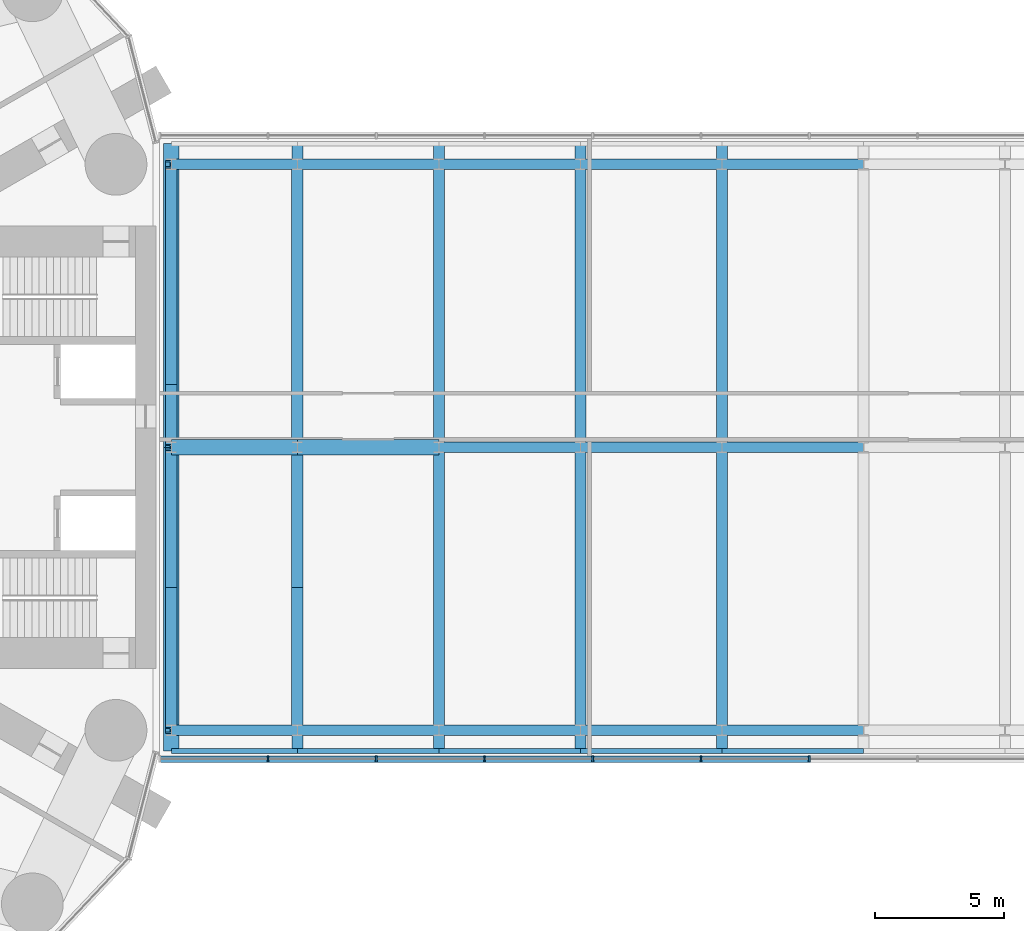
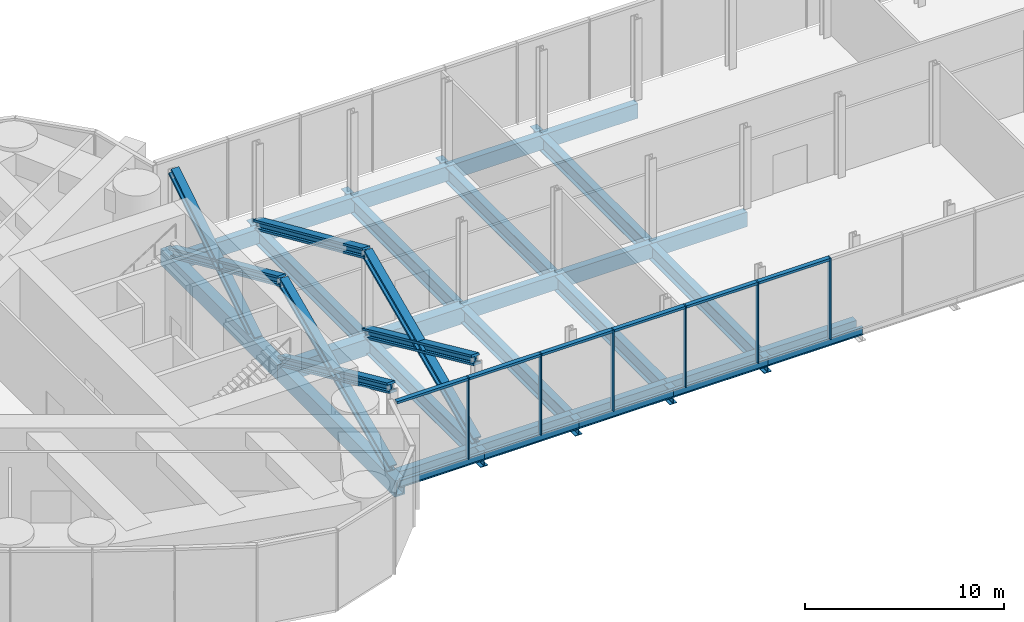
# One storey, part 5 of 19: 30 beams, 19 members, 1 element without a shape of its own.
"""IFC4 building model written with IfcOpenShell, lengths in metres."""

from ifc_helpers import new_model, si_unit, direction, frame, origin, origin_2d, place, context, subcontext, project, spatial, rectangle, hollow_rectangle, i_section, extrude, material, material_profile, profile_set, type_object, element, aggregate, save


model = new_model("IFC4")

# Units and contexts
model_context = context("Model", 3, precision=1e-05, world=origin(), true_north=direction((0.0, 1.0)))
body_context = subcontext(model_context, "Body", "Model", "MODEL_VIEW")
ifc_project = project(units=[si_unit("LENGTHUNIT", "METRE"), si_unit("AREAUNIT", "SQUARE_METRE"), si_unit("VOLUMEUNIT", "CUBIC_METRE"), si_unit("PLANEANGLEUNIT", "RADIAN"), si_unit("MASSUNIT", "GRAM", prefix="KILO")], contexts=[model_context])

# Site, building, storey
site_placement = place(None, origin())
site = spatial("IfcSite", under=ifc_project, at=site_placement, CompositionType="ELEMENT")
building_placement = place(site_placement, origin())
building = spatial("IfcBuilding", under=site, at=building_placement, Name="Lancet Gate Hotel", CompositionType="ELEMENT")
storey_placement = place(building_placement, frame((0.0, 0.0, 263.300048828125)))
storey = spatial("IfcBuildingStorey", under=building, at=storey_placement, Name="L69", CompositionType="ELEMENT", Elevation=263.300048828125)

# Curtain wall, members
ifc_material_1 = material(Name="Aluminium curtain wall", Category="aluminium")
curtain_wall_type = type_object("IfcCurtainWallType", Name="Lantern crown glazing", PredefinedType="USERDEFINED", material=ifc_material_1)
curtain_wall_placement = place(storey_placement, origin())
curtain_wall = element("IfcCurtainWall", 1, at=curtain_wall_placement, inside=storey, type_object=curtain_wall_type, Name="Bridge block L69 curtain wall S", ObjectType="LANTERN GLAZING", PredefinedType="USERDEFINED")
ifc_material_2 = material(Name="Aluminium mullion", Category="aluminium")
ifc_material_profile_1 = material_profile(ifc_material_2, rectangle(XDim=0.06494140625, YDim=0.25, at=origin_2d()), Name="MULLION 65x250")
ifc_profile_set_1 = profile_set([ifc_material_profile_1], Name="Aluminium mullion")
member_type_1 = type_object("IfcMemberType", Name="Aluminium mullion 65x250", PredefinedType="MULLION", material=ifc_profile_set_1)
member_1_placement = place(storey_placement, frame((-23.142333984375, -12.1201171875, 0.0), z_axis=(0.0, 0.0, 1.0), x_axis=(1.0, 0.0, 0.0)))
member_1 = element("IfcMember", 2, at=member_1_placement, type_object=member_type_1, Name="Bridge block L69 curtain wall S mullion 2", PredefinedType="MULLION", context=body_context, shape_type="SweptSolid", body=[
    extrude(rectangle(XDim=0.06494140625, YDim=0.25, at=origin_2d()), origin(), (0.0, 0.0, 1.0), 5.0),
])
member_2_placement = place(storey_placement, frame((-18.9345703125, -12.1201171875, 0.0), z_axis=(0.0, 0.0, 1.0), x_axis=(1.0, 0.0, 0.0)))
member_2 = element("IfcMember", 3, at=member_2_placement, type_object=member_type_1, Name="Bridge block L69 curtain wall S mullion 3", PredefinedType="MULLION", context=body_context, shape_type="SweptSolid", body=[
    extrude(rectangle(XDim=0.06494140625, YDim=0.25, at=origin_2d()), origin(), (0.0, 0.0, 1.0), 5.0),
])
member_3_placement = place(storey_placement, frame((-14.726806640625, -12.1201171875, 0.0), z_axis=(0.0, 0.0, 1.0), x_axis=(1.0, 0.0, 0.0)))
member_3 = element("IfcMember", 4, at=member_3_placement, type_object=member_type_1, Name="Bridge block L69 curtain wall S mullion 4", PredefinedType="MULLION", context=body_context, shape_type="SweptSolid", body=[
    extrude(rectangle(XDim=0.06494140625, YDim=0.25, at=origin_2d()), origin(), (0.0, 0.0, 1.0), 5.0),
])
member_4_placement = place(storey_placement, frame((-10.519287109375, -12.1201171875, 0.0), z_axis=(0.0, 0.0, 1.0), x_axis=(1.0, 0.0, 0.0)))
member_4 = element("IfcMember", 5, at=member_4_placement, type_object=member_type_1, Name="Bridge block L69 curtain wall S mullion 5", PredefinedType="MULLION", context=body_context, shape_type="SweptSolid", body=[
    extrude(rectangle(XDim=0.06494140625, YDim=0.25, at=origin_2d()), origin(), (0.0, 0.0, 1.0), 5.0),
])
member_5_placement = place(storey_placement, frame((-6.3115234375, -12.1201171875, 0.0), z_axis=(0.0, 0.0, 1.0), x_axis=(1.0, 0.0, 0.0)))
member_5 = element("IfcMember", 6, at=member_5_placement, type_object=member_type_1, Name="Bridge block L69 curtain wall S mullion 6", PredefinedType="MULLION", context=body_context, shape_type="SweptSolid", body=[
    extrude(rectangle(XDim=0.06494140625, YDim=0.25, at=origin_2d()), origin(), (0.0, 0.0, 1.0), 5.0),
])
member_6_placement = place(storey_placement, frame((-2.103759765625, -12.1201171875, 0.0), z_axis=(0.0, 0.0, 1.0), x_axis=(1.0, 0.0, 0.0)))
member_6 = element("IfcMember", 7, at=member_6_placement, type_object=member_type_1, Name="Bridge block L69 curtain wall S mullion 7", PredefinedType="MULLION", context=body_context, shape_type="SweptSolid", body=[
    extrude(rectangle(XDim=0.06494140625, YDim=0.25, at=origin_2d()), origin(), (0.0, 0.0, 1.0), 5.0),
])
ifc_material_3 = material(Name="Aluminium transom", Category="aluminium")
ifc_material_profile_2 = material_profile(ifc_material_3, rectangle(XDim=0.25, YDim=0.14990234375, at=origin_2d()), Name="TRANSOM 250x150")
ifc_profile_set_2 = profile_set([ifc_material_profile_2], Name="Aluminium transom")
member_type_2 = type_object("IfcMemberType", Name="Aluminium transom 250x150", PredefinedType="USERDEFINED", material=ifc_profile_set_2)
member_7_placement = place(storey_placement, frame((-27.3173828125, -12.1201171875, 4.925048828125), z_axis=(1.0, 0.0, 0.0), x_axis=(0.0, 1.0, 0.0)))
member_7 = element("IfcMember", 8, at=member_7_placement, type_object=member_type_2, Name="Bridge block L69 curtain wall S transom 1", ObjectType="TRANSOM", PredefinedType="USERDEFINED", context=body_context, shape_type="SweptSolid", body=[
    extrude(rectangle(XDim=0.25, YDim=0.14990234375, at=origin_2d()), origin(), (0.0, 0.0, 1.0), 4.142578125),
])
member_8_placement = place(storey_placement, frame((-23.10986328125, -12.1201171875, 4.925048828125), z_axis=(1.0, 0.0, 0.0), x_axis=(0.0, 1.0, 0.0)))
member_8 = element("IfcMember", 9, at=member_8_placement, type_object=member_type_2, Name="Bridge block L69 curtain wall S transom 2", ObjectType="TRANSOM", PredefinedType="USERDEFINED", context=body_context, shape_type="SweptSolid", body=[
    extrude(rectangle(XDim=0.25, YDim=0.14990234375, at=origin_2d()), origin(), (0.0, 0.0, 1.0), 4.142822265625),
])
member_9_placement = place(storey_placement, frame((-18.902099609375, -12.1201171875, 4.925048828125), z_axis=(1.0, 0.0, 0.0), x_axis=(0.0, 1.0, 0.0)))
member_9 = element("IfcMember", 10, at=member_9_placement, type_object=member_type_2, Name="Bridge block L69 curtain wall S transom 3", ObjectType="TRANSOM", PredefinedType="USERDEFINED", context=body_context, shape_type="SweptSolid", body=[
    extrude(rectangle(XDim=0.25, YDim=0.14990234375, at=origin_2d()), origin(), (0.0, 0.0, 1.0), 4.142578125),
])
member_10_placement = place(storey_placement, frame((-14.6943359375, -12.1201171875, 4.925048828125), z_axis=(1.0, 0.0, 0.0), x_axis=(0.0, 1.0, 0.0)))
member_10 = element("IfcMember", 11, at=member_10_placement, type_object=member_type_2, Name="Bridge block L69 curtain wall S transom 4", ObjectType="TRANSOM", PredefinedType="USERDEFINED", context=body_context, shape_type="SweptSolid", body=[
    extrude(rectangle(XDim=0.25, YDim=0.14990234375, at=origin_2d()), origin(), (0.0, 0.0, 1.0), 4.142578125),
])
member_11_placement = place(storey_placement, frame((-10.48681640625, -12.1201171875, 4.925048828125), z_axis=(1.0, 0.0, 0.0), x_axis=(0.0, 1.0, 0.0)))
member_11 = element("IfcMember", 12, at=member_11_placement, type_object=member_type_2, Name="Bridge block L69 curtain wall S transom 5", ObjectType="TRANSOM", PredefinedType="USERDEFINED", context=body_context, shape_type="SweptSolid", body=[
    extrude(rectangle(XDim=0.25, YDim=0.14990234375, at=origin_2d()), origin(), (0.0, 0.0, 1.0), 4.142822265625),
])
member_12_placement = place(storey_placement, frame((-6.279052734375, -12.1201171875, 4.925048828125), z_axis=(1.0, 0.0, 0.0), x_axis=(0.0, 1.0, 0.0)))
member_12 = element("IfcMember", 13, at=member_12_placement, type_object=member_type_2, Name="Bridge block L69 curtain wall S transom 6", ObjectType="TRANSOM", PredefinedType="USERDEFINED", context=body_context, shape_type="SweptSolid", body=[
    extrude(rectangle(XDim=0.25, YDim=0.14990234375, at=origin_2d()), origin(), (0.0, 0.0, 1.0), 4.142822265625),
])
aggregate(curtain_wall, [member_1, member_2, member_3, member_4, member_5, member_6, member_7, member_8, member_9, member_10, member_11, member_12])

# Members
ifc_material_4 = material(Name="Steel S460", Category="steel")
ifc_material_profile_3 = material_profile(ifc_material_4, i_section(OverallWidth=0.4541015625, OverallDepth=0.569091796875, WebThickness=0.077880859375, FlangeThickness=0.125, FilletRadius=0.02001953125, at=origin_2d()), Name="HD 400x1086")
ifc_profile_set_3 = profile_set([ifc_material_profile_3], Name="Steel S460")
member_type_3 = type_object("IfcMemberType", Name="Block brace HD 400x1086", PredefinedType="BRACE", material=ifc_profile_set_3)
member_13_placement = place(storey_placement, frame((-26.89990234375, -11.0, 0.0), z_axis=(0.0, 0.913471794333, 0.406902053273), x_axis=(-1.0, 0.0, 0.0)))
element("IfcMember", 14, at=member_13_placement, inside=storey, type_object=member_type_3, Name="Block brace WY11 L69", PredefinedType="BRACE", context=body_context, shape_type="SweptSolid", body=[
    extrude(i_section(OverallWidth=0.4541015625, OverallDepth=0.569091796875, WebThickness=0.077880859375, FlangeThickness=0.125, FilletRadius=0.02001953125, at=origin_2d()), origin(), (0.0, 0.0, 1.0), 12.0419921875),
])
member_14_placement = place(storey_placement, frame((-26.89990234375, 0.0, 0.0), z_axis=(0.0, -0.910366477463, 0.413802944301), x_axis=(1.0, 0.0, 0.0)))
element("IfcMember", 15, at=member_14_placement, inside=storey, type_object=member_type_3, Name="Block brace WY12 L69", PredefinedType="BRACE", context=body_context, shape_type="SweptSolid", body=[
    extrude(i_section(OverallWidth=0.4541015625, OverallDepth=0.569091796875, WebThickness=0.077880859375, FlangeThickness=0.125, FilletRadius=0.02001953125, at=origin_2d()), origin(), (0.0, 0.0, 1.0), 12.0830078125),
])
for number, where, z_axis, x_axis, name in (
    (16, (-26.89990234375, 11.0, 0.0), (0.0, -0.913471794333, 0.406902053273), (1.0, 0.0, 0.0), "Block brace WY22 L69"),
    (17, (-22.0, -11.0, 0.0), (0.0, 0.913471794333, 0.406902053273), (-1.0, 0.0, 0.0), "Block brace WI11 L69"),
):
    element("IfcMember", number, at=place(storey_placement, frame(where, z_axis=z_axis, x_axis=x_axis)), inside=storey, type_object=member_type_3, Name=name, PredefinedType="BRACE", context=body_context, shape_type="SweptSolid", body=[
        extrude(i_section(OverallWidth=0.4541015625, OverallDepth=0.569091796875, WebThickness=0.077880859375, FlangeThickness=0.125, FilletRadius=0.02001953125, at=origin_2d()), origin(), (0.0, 0.0, 1.0), 12.0419921875),
    ])
member_15_placement = place(storey_placement, frame((-22.0, 0.0, 0.0), z_axis=(0.0, -0.910366477463, 0.413802944301), x_axis=(1.0, 0.0, 0.0)))
element("IfcMember", 18, at=member_15_placement, inside=storey, type_object=member_type_3, Name="Block brace WI12 L69", PredefinedType="BRACE", context=body_context, shape_type="SweptSolid", body=[
    extrude(i_section(OverallWidth=0.4541015625, OverallDepth=0.569091796875, WebThickness=0.077880859375, FlangeThickness=0.125, FilletRadius=0.02001953125, at=origin_2d()), origin(), (0.0, 0.0, 1.0), 12.0830078125),
])
member_16_placement = place(storey_placement, frame((-22.0, 11.0, 0.0), z_axis=(0.0, -0.913471794333, 0.406902053273), x_axis=(1.0, 0.0, 0.0)))
element("IfcMember", 19, at=member_16_placement, inside=storey, type_object=member_type_3, Name="Block brace WI22 L69", PredefinedType="BRACE", context=body_context, shape_type="SweptSolid", body=[
    extrude(i_section(OverallWidth=0.4541015625, OverallDepth=0.569091796875, WebThickness=0.077880859375, FlangeThickness=0.125, FilletRadius=0.02001953125, at=origin_2d()), origin(), (0.0, 0.0, 1.0), 12.0419921875),
])
member_17_placement = place(storey_placement, frame((-26.89990234375, 2.60009765625, -0.300048828125), z_axis=(0.0, 0.845723043987, 0.533622088064), x_axis=(-1.0, 0.0, 0.0)))
element("IfcMember", 20, at=member_17_placement, inside=storey, type_object=member_type_3, Name="Block brace WY23 L69", PredefinedType="BRACE", context=body_context, shape_type="SweptSolid", body=[
    extrude(i_section(OverallWidth=0.4541015625, OverallDepth=0.569091796875, WebThickness=0.077880859375, FlangeThickness=0.125, FilletRadius=0.02001953125, at=origin_2d()), origin(), (0.0, 0.0, 1.0), 9.93212890625),
])

# Beams
ifc_material_5 = material(Name="Steel S355", Category="steel")
ifc_material_profile_4 = material_profile(ifc_material_5, i_section(OverallWidth=0.19140625, OverallDepth=0.4599609375, WebThickness=0.010009765625, FlangeThickness=0.01611328125, FilletRadius=0.01025390625, at=origin_2d()), Name="UKB 457x191x82")
ifc_profile_set_4 = profile_set([ifc_material_profile_4], Name="Steel S355")
beam_type_1 = type_object("IfcBeamType", Name="Block edge beam UKB 457x191x82", PredefinedType="SPANDREL", material=ifc_profile_set_4)
beam_1_placement = place(storey_placement, frame((-26.89990234375, -11.800048828125, -0.429931640625), z_axis=(1.0, 0.0, 0.0), x_axis=(0.0, 1.0, 0.0)))
element("IfcBeam", 21, at=beam_1_placement, inside=storey, type_object=beam_type_1, Name="Block edge beam S 0-1 L69", PredefinedType="SPANDREL", context=body_context, shape_type="SweptSolid", body=[
    extrude(i_section(OverallWidth=0.19140625, OverallDepth=0.4599609375, WebThickness=0.010009765625, FlangeThickness=0.01611328125, FilletRadius=0.01025390625, at=origin_2d()), origin(), (0.0, 0.0, 1.0), 4.89990234375),
])
for number, where, z_axis, x_axis, name in (
    (22, (-22.0, -11.800048828125, -0.429931640625), (1.0, 0.0, 0.0), (0.0, 1.0, 0.0), "Block edge beam S 1-2 L69"),
    (23, (-16.5, -11.800048828125, -0.429931640625), (1.0, 0.0, 0.0), (0.0, 1.0, 0.0), "Block edge beam S 2-3 L69"),
    (24, (-11.0, -11.800048828125, -0.429931640625), (1.0, 0.0, 0.0), (0.0, 1.0, 0.0), "Block edge beam S 3-4 L69"),
    (25, (-5.5, -11.800048828125, -0.429931640625), (1.0, 0.0, 0.0), (0.0, 1.0, 0.0), "Block edge beam S 4-5 L69"),
):
    element("IfcBeam", number, at=place(storey_placement, frame(where, z_axis=z_axis, x_axis=x_axis)), inside=storey, type_object=beam_type_1, Name=name, PredefinedType="SPANDREL", context=body_context, shape_type="SweptSolid", body=[
        extrude(i_section(OverallWidth=0.19140625, OverallDepth=0.4599609375, WebThickness=0.010009765625, FlangeThickness=0.01611328125, FilletRadius=0.01025390625, at=origin_2d()), origin(), (0.0, 0.0, 1.0), 5.5),
    ])
ifc_material_6 = material(Name="Steel S460QL", Category="steel")
ifc_material_profile_5 = material_profile(ifc_material_6, hollow_rectangle(XDim=0.60009765625, YDim=1.0, WallThickness=0.10009765625, at=origin_2d()), Name="BOX 1000x600x100")
ifc_profile_set_5 = profile_set([ifc_material_profile_5], Name="Steel S460QL")
beam_type_2 = type_object("IfcBeamType", Name="Block end beam BOX 1000x600x100", PredefinedType="BEAM", material=ifc_profile_set_5)
for number, where, z_axis, x_axis, name in (
    (26, (-26.89990234375, -11.800048828125, -0.699951171875), (0.0, 1.0, 0.0), (-1.0, 0.0, 0.0), "Block beam x0 S L69"),
    (27, (-26.89990234375, 0.0, -0.699951171875), (0.0, 1.0, 0.0), (-1.0, 0.0, 0.0), "Block beam x0 N L69"),
):
    element("IfcBeam", number, at=place(storey_placement, frame(where, z_axis=z_axis, x_axis=x_axis)), inside=storey, type_object=beam_type_2, Name=name, PredefinedType="BEAM", context=body_context, shape_type="SweptSolid", body=[
        extrude(hollow_rectangle(XDim=0.60009765625, YDim=1.0, WallThickness=0.10009765625, at=origin_2d()), origin(), (0.0, 0.0, 1.0), 11.800048828125),
    ])
ifc_material_7 = material(Name="Steel S355", Category="steel")
ifc_material_profile_6 = material_profile(ifc_material_7, i_section(OverallWidth=0.42041015625, OverallDepth=0.9208984375, WebThickness=0.021484375, FlangeThickness=0.03662109375, FilletRadius=0.024169921875, at=origin_2d()), Name="UKB 914x419x388")
ifc_profile_set_6 = profile_set([ifc_material_profile_6], Name="Steel S355")
beam_type_3 = type_object("IfcBeamType", Name="Block plant floor beam UKB 914x419x388", PredefinedType="JOIST", material=ifc_profile_set_6)
for number, where, z_axis, x_axis, name in (
    (28, (-22.0, -11.800048828125, -0.66064453125), (0.0, 1.0, 0.0), (-1.0, 0.0, 0.0), "Block beam x1 S L69"),
    (29, (-22.0, 0.0, -0.66064453125), (0.0, 1.0, 0.0), (-1.0, 0.0, 0.0), "Block beam x1 N L69"),
    (30, (-16.5, -11.800048828125, -0.66064453125), (0.0, 1.0, 0.0), (-1.0, 0.0, 0.0), "Block beam x2 S L69"),
    (31, (-16.5, 0.0, -0.66064453125), (0.0, 1.0, 0.0), (-1.0, 0.0, 0.0), "Block beam x2 N L69"),
    (32, (-11.0, -11.800048828125, -0.66064453125), (0.0, 1.0, 0.0), (-1.0, 0.0, 0.0), "Block beam x3 S L69"),
    (33, (-11.0, 0.0, -0.66064453125), (0.0, 1.0, 0.0), (-1.0, 0.0, 0.0), "Block beam x3 N L69"),
    (34, (-5.5, -11.800048828125, -0.66064453125), (0.0, 1.0, 0.0), (-1.0, 0.0, 0.0), "Block beam x4 S L69"),
    (35, (-5.5, 0.0, -0.66064453125), (0.0, 1.0, 0.0), (-1.0, 0.0, 0.0), "Block beam x4 N L69"),
):
    element("IfcBeam", number, at=place(storey_placement, frame(where, z_axis=z_axis, x_axis=x_axis)), inside=storey, type_object=beam_type_3, Name=name, PredefinedType="JOIST", context=body_context, shape_type="SweptSolid", body=[
        extrude(i_section(OverallWidth=0.42041015625, OverallDepth=0.9208984375, WebThickness=0.021484375, FlangeThickness=0.03662109375, FilletRadius=0.024169921875, at=origin_2d()), origin(), (0.0, 0.0, 1.0), 11.800048828125),
    ])
ifc_material_8 = material(Name="Steel S460QL", Category="steel")
ifc_material_profile_7 = material_profile(ifc_material_8, hollow_rectangle(XDim=0.60009765625, YDim=1.0, WallThickness=0.080078125, at=origin_2d()), Name="BOX 1000x600x80")
ifc_profile_set_7 = profile_set([ifc_material_profile_7], Name="Steel S460QL")
beam_type_4 = type_object("IfcBeamType", Name="Block primary beam BOX 1000x600x80", PredefinedType="BEAM", material=ifc_profile_set_7)
beam_2_placement = place(storey_placement, frame((-26.89990234375, 0.0, -0.699951171875), z_axis=(1.0, 0.0, 0.0), x_axis=(0.0, 1.0, 0.0)))
element("IfcBeam", 36, at=beam_2_placement, inside=storey, type_object=beam_type_4, Name="Block primary beam M 1 L69", PredefinedType="BEAM", context=body_context, shape_type="SweptSolid", body=[
    extrude(hollow_rectangle(XDim=0.60009765625, YDim=1.0, WallThickness=0.080078125, at=origin_2d()), origin(), (0.0, 0.0, 1.0), 4.89990234375),
])
beam_3_placement = place(storey_placement, frame((-22.0, 0.0, -0.699951171875), z_axis=(1.0, 0.0, 0.0), x_axis=(0.0, 1.0, 0.0)))
element("IfcBeam", 37, at=beam_3_placement, inside=storey, type_object=beam_type_4, Name="Block primary beam M 2 L69", PredefinedType="BEAM", context=body_context, shape_type="SweptSolid", body=[
    extrude(hollow_rectangle(XDim=0.60009765625, YDim=1.0, WallThickness=0.080078125, at=origin_2d()), origin(), (0.0, 0.0, 1.0), 5.5),
])
ifc_material_9 = material(Name="Steel S355", Category="steel")
ifc_material_profile_8 = material_profile(ifc_material_9, hollow_rectangle(XDim=0.39990234375, YDim=0.89990234375, WallThickness=0.0400390625, at=origin_2d()), Name="BOX 900x400x40")
ifc_profile_set_8 = profile_set([ifc_material_profile_8], Name="Steel S355")
beam_type_5 = type_object("IfcBeamType", Name="Block primary beam BOX 900x400x40", PredefinedType="BEAM", material=ifc_profile_set_8)
beam_4_placement = place(storey_placement, frame((-26.89990234375, -11.0, -0.650146484375), z_axis=(1.0, 0.0, 0.0), x_axis=(0.0, 1.0, 0.0)))
element("IfcBeam", 38, at=beam_4_placement, inside=storey, type_object=beam_type_5, Name="Block primary beam S 1 L69", PredefinedType="BEAM", context=body_context, shape_type="SweptSolid", body=[
    extrude(hollow_rectangle(XDim=0.39990234375, YDim=0.89990234375, WallThickness=0.0400390625, at=origin_2d()), origin(), (0.0, 0.0, 1.0), 4.89990234375),
])
for number, where, z_axis, x_axis, name in (
    (39, (-22.0, -11.0, -0.650146484375), (1.0, 0.0, 0.0), (0.0, 1.0, 0.0), "Block primary beam S 2 L69"),
    (40, (-16.5, -11.0, -0.650146484375), (1.0, 0.0, 0.0), (0.0, 1.0, 0.0), "Block primary beam S 3 L69"),
    (41, (-11.0, -11.0, -0.650146484375), (1.0, 0.0, 0.0), (0.0, 1.0, 0.0), "Block primary beam S 4 L69"),
    (42, (-5.5, -11.0, -0.650146484375), (1.0, 0.0, 0.0), (0.0, 1.0, 0.0), "Block primary beam S 5 L69"),
    (43, (-16.5, 0.0, -0.650146484375), (1.0, 0.0, 0.0), (0.0, 1.0, 0.0), "Block primary beam M 3 L69"),
    (44, (-11.0, 0.0, -0.650146484375), (1.0, 0.0, 0.0), (0.0, 1.0, 0.0), "Block primary beam M 4 L69"),
    (45, (-5.5, 0.0, -0.650146484375), (1.0, 0.0, 0.0), (0.0, 1.0, 0.0), "Block primary beam M 5 L69"),
):
    element("IfcBeam", number, at=place(storey_placement, frame(where, z_axis=z_axis, x_axis=x_axis)), inside=storey, type_object=beam_type_5, Name=name, PredefinedType="BEAM", context=body_context, shape_type="SweptSolid", body=[
        extrude(hollow_rectangle(XDim=0.39990234375, YDim=0.89990234375, WallThickness=0.0400390625, at=origin_2d()), origin(), (0.0, 0.0, 1.0), 5.5),
    ])
beam_5_placement = place(storey_placement, frame((-26.89990234375, 11.0, -0.650146484375), z_axis=(1.0, 0.0, 0.0), x_axis=(0.0, 1.0, 0.0)))
element("IfcBeam", 46, at=beam_5_placement, inside=storey, type_object=beam_type_5, Name="Block primary beam N 1 L69", PredefinedType="BEAM", context=body_context, shape_type="SweptSolid", body=[
    extrude(hollow_rectangle(XDim=0.39990234375, YDim=0.89990234375, WallThickness=0.0400390625, at=origin_2d()), origin(), (0.0, 0.0, 1.0), 4.89990234375),
])
for number, where, z_axis, x_axis, name in (
    (47, (-22.0, 11.0, -0.650146484375), (1.0, 0.0, 0.0), (0.0, 1.0, 0.0), "Block primary beam N 2 L69"),
    (48, (-16.5, 11.0, -0.650146484375), (1.0, 0.0, 0.0), (0.0, 1.0, 0.0), "Block primary beam N 3 L69"),
    (49, (-11.0, 11.0, -0.650146484375), (1.0, 0.0, 0.0), (0.0, 1.0, 0.0), "Block primary beam N 4 L69"),
    (50, (-5.5, 11.0, -0.650146484375), (1.0, 0.0, 0.0), (0.0, 1.0, 0.0), "Block primary beam N 5 L69"),
):
    element("IfcBeam", number, at=place(storey_placement, frame(where, z_axis=z_axis, x_axis=x_axis)), inside=storey, type_object=beam_type_5, Name=name, PredefinedType="BEAM", context=body_context, shape_type="SweptSolid", body=[
        extrude(hollow_rectangle(XDim=0.39990234375, YDim=0.89990234375, WallThickness=0.0400390625, at=origin_2d()), origin(), (0.0, 0.0, 1.0), 5.5),
    ])

save(model, "model.ifc")
